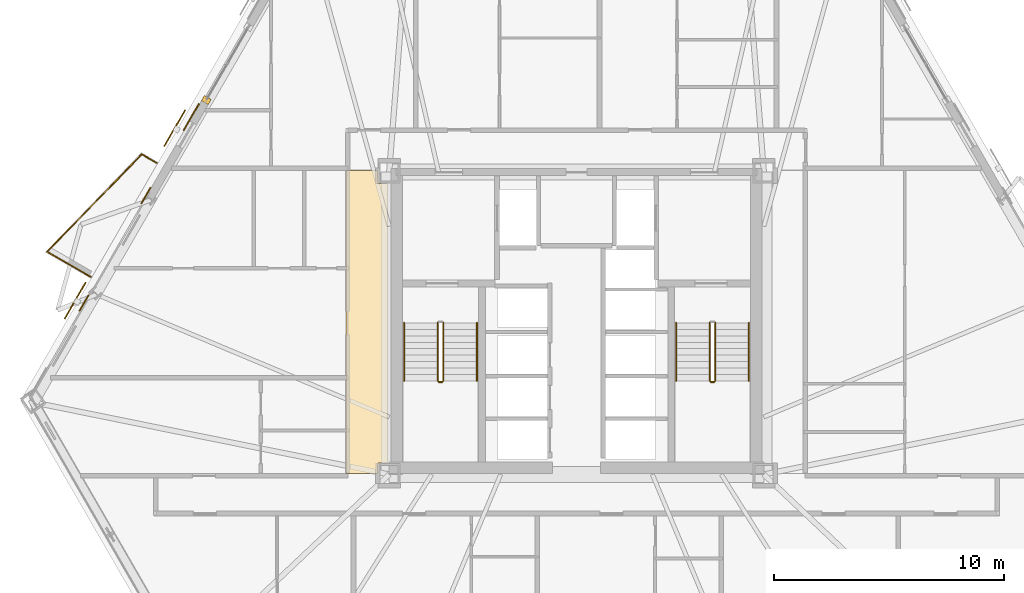
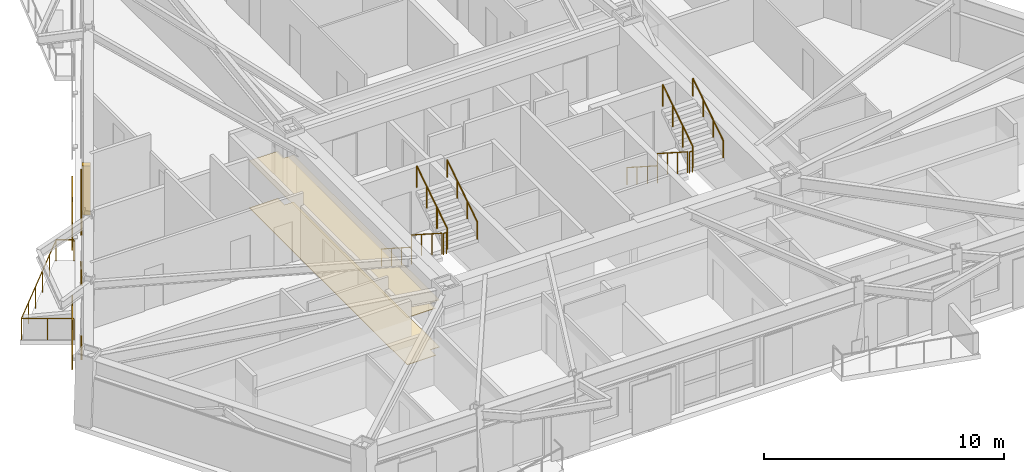
# One storey, part 15 of 17: 13 railings, 6 coverings, 2 shading devices.
"""IFC4 building model written with IfcOpenShell, lengths in metres."""

from ifc_helpers import new_model, si_unit, direction, frame, origin, origin_2d, place, context, subcontext, project, spatial, polyline, rectangle, circle, outline, extrude, material, layer, layer_set, type_object, element, save


model = new_model("IFC4")

# Units and contexts
model_context = context("Model", 3, precision=1e-05, world=origin(), true_north=direction((0.0, 1.0)))
body_context = subcontext(model_context, "Body", "Model", "MODEL_VIEW")
ifc_project = project(units=[si_unit("LENGTHUNIT", "METRE"), si_unit("AREAUNIT", "SQUARE_METRE"), si_unit("VOLUMEUNIT", "CUBIC_METRE"), si_unit("PLANEANGLEUNIT", "RADIAN"), si_unit("MASSUNIT", "GRAM", prefix="KILO")], contexts=[model_context])

# Site, building, storey
site_placement = place(None, origin())
site = spatial("IfcSite", under=ifc_project, at=site_placement, CompositionType="ELEMENT")
building_placement = place(site_placement, origin())
building = spatial("IfcBuilding", under=site, at=building_placement, Name="Oramaril Tower", CompositionType="ELEMENT")
storey_placement = place(building_placement, frame((0.0, 0.0, 70.5)))
storey = spatial("IfcBuildingStorey", under=building, at=storey_placement, Name="L18", CompositionType="ELEMENT", Elevation=70.5)

# Coverings
ifc_material_1 = material(Name="Mineral Fibre Acoustic Ceiling")
ifc_layer_1 = layer(ifc_material_1, 0.02001953125)
ifc_layer_set_1 = layer_set([ifc_layer_1], Name="CVT-CEIL")
covering_type_1 = type_object("IfcCoveringType", Name="CVT-CEIL", PredefinedType="CEILING", material=ifc_layer_set_1)
covering_1_placement = place(storey_placement, frame((0.0, 0.0, 2.39990234375)))
element("IfcCovering", 1, at=covering_1_placement, inside=storey, type_object=covering_type_1, Name="L18 Acoustic Suspended Ceiling 3", PredefinedType="CEILING", context=body_context, shape_type="SweptSolid", body=[
    extrude(outline(polyline([(28.85498046875, 23.655029296875), (29.280029296875, 23.655029296875), (29.280029296875, 11.4951171875), (28.85498046875, 11.4951171875), (28.85498046875, 11.050048828125), (27.469970703125, 11.050048828125), (27.469970703125, 24.219970703125), (28.85498046875, 24.219970703125), (28.85498046875, 23.655029296875)])), origin(), (0.0, 0.0, 1.0), 0.02001953125),
])
ifc_material_2 = material(Name="Warm Cream Limestone", Category="masonry")
ifc_layer_2 = layer(ifc_material_2, 0.050048828125)
ifc_layer_set_2 = layer_set([ifc_layer_2], Name="CVT-CLD")
covering_type_2 = type_object("IfcCoveringType", Name="CVT-CLD", PredefinedType="CLADDING", material=ifc_layer_set_2)
covering_2_placement = place(storey_placement, frame((21.3955078125, 27.284912109375, 0.0), z_axis=(0.0, 0.0, 1.0), x_axis=(-0.5, -0.866025403784, 0.0)))
element("IfcCovering", 2, at=covering_2_placement, inside=storey, type_object=covering_type_2, Name="L18 Curtain Wall Limestone Jamb Closure", PredefinedType="CLADDING", context=body_context, shape_type="SweptSolid", body=[
    extrude(rectangle(XDim=0.260009765625, YDim=0.340087890625, at=origin_2d()), origin(), (0.0, 0.0, 1.0), 2.493896484375),
])
covering_3_placement = place(storey_placement, frame((20.743408203125, 26.54150390625, 0.0400390625), z_axis=(0.0, 0.0, 1.0), x_axis=(-0.5, -0.866025403784, 0.0)))
element("IfcCovering", 3, at=covering_3_placement, inside=storey, type_object=covering_type_2, Name="L18 Warm Cream Limestone Cladding", PredefinedType="CLADDING", context=body_context, shape_type="SweptSolid", body=[
    extrude(rectangle(XDim=1.35009765625, YDim=0.050048828125, at=origin_2d()), origin(), (0.0, 0.0, 1.0), 2.4140625),
])
for number, where, z_axis, x_axis, name in (
    (4, (18.772216796875, 23.127197265625, 0.0400390625), (0.0, 0.0, 1.0), (-0.5, -0.866025403784, 0.0), "L18 Warm Cream Limestone Spandrel Cladding"),
    (5, (16.07666015625, 18.458251953125, 0.0400390625), (0.0, 0.0, 1.0), (-0.5, -0.866025403784, 0.0), "L18 Warm Cream Limestone Spandrel Cladding"),
):
    element("IfcCovering", number, at=place(storey_placement, frame(where, z_axis=z_axis, x_axis=x_axis)), inside=storey, type_object=covering_type_2, Name=name, PredefinedType="CLADDING", context=body_context, shape_type="SweptSolid", body=[
        extrude(rectangle(XDim=0.800048828125, YDim=0.050048828125, at=origin_2d()), origin(), (0.0, 0.0, 1.0), 0.679931640625),
    ])
ifc_material_3 = material(Name="Honed Quartzite Stone Flooring", Category="masonry")
ifc_layer_3 = layer(ifc_material_3, 0.02490234375)
ifc_layer_set_3 = layer_set([ifc_layer_3], Name="CVT-FLR")
covering_type_3 = type_object("IfcCoveringType", Name="CVT-FLR", PredefinedType="FLOORING", material=ifc_layer_set_3)
covering_4_placement = place(storey_placement, origin())
element("IfcCovering", 6, at=covering_4_placement, inside=storey, type_object=covering_type_3, Name="L18 Honed Stone Floor Finish 3", PredefinedType="FLOORING", context=body_context, shape_type="SweptSolid", body=[
    extrude(outline(polyline([(28.85498046875, 23.655029296875), (29.280029296875, 23.655029296875), (29.280029296875, 11.4951171875), (28.85498046875, 11.4951171875), (28.85498046875, 11.050048828125), (27.469970703125, 11.050048828125), (27.469970703125, 24.219970703125), (28.85498046875, 24.219970703125), (28.85498046875, 23.655029296875)])), origin(), (0.0, 0.0, 1.0), 0.02490234375),
])

# Railings
ifc_material_4 = material(Name="Stainless Steel 316L", Category="steel")
railing_type_1 = type_object("IfcRailingType", Name="RLT-GRD", PredefinedType="GUARDRAIL", material=ifc_material_4)
railing_1_placement = place(storey_placement, frame((16.3671875, 19.592041015625, 0.0)))
element("IfcRailing", 7, at=railing_1_placement, inside=storey, type_object=railing_type_1, Name="L18 Balcony Guardrail L18-BAL-NW2.1", PredefinedType="GUARDRAIL", context=body_context, shape_type="SweptSolid", body=[
    extrude(circle(Radius=0.02392578125, at=origin_2d()), frame((0.0, 0.0, 1.076171875), z_axis=(-0.866020500697, 0.5000084923, 0.0), x_axis=(-0.5000084923, -0.866020500697, 0.0)), (0.0, 0.0, 1.0), 2.19189453125),
    extrude(circle(Radius=0.02099609375, at=origin_2d()), origin(), (0.0, 0.0, 1.0), 1.052001953125),
    extrude(circle(Radius=0.02099609375, at=origin_2d()), frame((-0.94921875, 0.5478515625, 0.0)), (0.0, 0.0, 1.0), 1.052001953125),
    extrude(circle(Radius=0.02099609375, at=origin_2d()), frame((-1.898193359375, 1.095947265625, 0.0)), (0.0, 0.0, 1.0), 1.052001953125),
])
railing_2_placement = place(storey_placement, frame((14.468994140625, 20.68798828125, 0.0)))
element("IfcRailing", 8, at=railing_2_placement, inside=storey, type_object=railing_type_1, Name="L18 Balcony Guardrail L18-BAL-NW2.2", PredefinedType="GUARDRAIL", context=body_context, shape_type="SweptSolid", body=[
    extrude(circle(Radius=0.02392578125, at=origin_2d()), frame((0.0, 0.0, 1.076171875), z_axis=(0.697186915353, 0.716889395277, 0.0), x_axis=(-0.716889395277, 0.697186915353, 0.0)), (0.0, 0.0, 1.0), 5.91064453125),
    extrude(circle(Radius=0.02099609375, at=origin_2d()), origin(), (0.0, 0.0, 1.0), 1.052001953125),
    extrude(circle(Radius=0.02099609375, at=origin_2d()), frame((0.82421875, 0.847412109375, 0.0)), (0.0, 0.0, 1.0), 1.052001953125),
    extrude(circle(Radius=0.02099609375, at=origin_2d()), frame((1.6484375, 1.69482421875, 0.0)), (0.0, 0.0, 1.0), 1.052001953125),
    extrude(circle(Radius=0.02099609375, at=origin_2d()), frame((2.472412109375, 2.54248046875, 0.0)), (0.0, 0.0, 1.0), 1.052001953125),
    extrude(circle(Radius=0.02099609375, at=origin_2d()), frame((3.296630859375, 3.389892578125, 0.0)), (0.0, 0.0, 1.0), 1.052001953125),
    extrude(circle(Radius=0.02099609375, at=origin_2d()), frame((4.120849609375, 4.2373046875, 0.0)), (0.0, 0.0, 1.0), 1.052001953125),
])
railing_3_placement = place(storey_placement, frame((18.58984375, 24.92529296875, 0.0)))
element("IfcRailing", 9, at=railing_3_placement, inside=storey, type_object=railing_type_1, Name="L18 Balcony Guardrail L18-BAL-NW2.3", PredefinedType="GUARDRAIL", context=body_context, shape_type="SweptSolid", body=[
    extrude(circle(Radius=0.02392578125, at=origin_2d()), frame((0.0, 0.0, 1.076171875), z_axis=(0.865966403178, -0.500102178127, 0.0), x_axis=(0.500102178127, 0.865966403178, 0.0)), (0.0, 0.0, 1.0), 0.741943359375),
    extrude(circle(Radius=0.02099609375, at=origin_2d()), origin(), (0.0, 0.0, 1.0), 1.052001953125),
    extrude(circle(Radius=0.02099609375, at=origin_2d()), frame((0.642578125, -0.37109375, 0.0)), (0.0, 0.0, 1.0), 1.052001953125),
])
railing_4_placement = place(storey_placement, frame((31.4599609375, 17.590087890625, 0.179931640625)))
element("IfcRailing", 10, at=railing_4_placement, inside=storey, type_object=railing_type_1, Name="L18 ST-1 stair guard 1", PredefinedType="GUARDRAIL", context=body_context, shape_type="SweptSolid", body=[
    extrude(circle(Radius=0.02392578125, at=origin_2d()), frame((0.0, 0.0, 1.076171875), z_axis=(0.0, -0.841162588446, 0.540782303519), x_axis=(1.0, 0.0, 0.0)), (0.0, 0.0, 1.0), 2.995849609375),
    extrude(circle(Radius=0.02099609375, at=origin_2d()), origin(), (0.0, 0.0, 1.0), 1.052001953125),
    extrude(circle(Radius=0.02099609375, at=origin_2d()), frame((0.0, -0.840087890625, 0.5400390625)), (0.0, 0.0, 1.0), 1.052001953125),
    extrude(circle(Radius=0.02099609375, at=origin_2d()), frame((0.0, -1.679931640625, 1.080078125)), (0.0, 0.0, 1.0), 1.052001953125),
    extrude(circle(Radius=0.02099609375, at=origin_2d()), frame((0.0, -2.52001953125, 1.6201171875)), (0.0, 0.0, 1.0), 1.052001953125),
])
railing_5_placement = place(storey_placement, frame((31.510009765625, 15.02001953125, 1.800048828125)))
element("IfcRailing", 11, at=railing_5_placement, inside=storey, type_object=railing_type_1, Name="L18 ST-1 stair guard 2", PredefinedType="GUARDRAIL", context=body_context, shape_type="SweptSolid", body=[
    extrude(circle(Radius=0.02392578125, at=origin_2d()), frame((0.0, 0.0, 1.076171875), z_axis=(1.0, 0.0, 0.0), x_axis=(0.0, 1.0, 0.0)), (0.0, 0.0, 1.0), 0.14990234375),
    extrude(circle(Radius=0.02099609375, at=origin_2d()), origin(), (0.0, 0.0, 1.0), 1.052001953125),
    extrude(circle(Radius=0.02099609375, at=origin_2d()), frame((0.14990234375, 0.0, 0.0)), (0.0, 0.0, 1.0), 1.052001953125),
])
railing_6_placement = place(storey_placement, frame((31.7099609375, 15.070068359375, 1.97998046875)))
element("IfcRailing", 12, at=railing_6_placement, inside=storey, type_object=railing_type_1, Name="L18 ST-1 stair guard 3", PredefinedType="GUARDRAIL", context=body_context, shape_type="SweptSolid", body=[
    extrude(circle(Radius=0.02392578125, at=origin_2d()), frame((0.0, 0.0, 1.076171875), z_axis=(0.0, 0.841162588446, 0.540782303519), x_axis=(-1.0, 0.0, 0.0)), (0.0, 0.0, 1.0), 2.995849609375),
    extrude(circle(Radius=0.02099609375, at=origin_2d()), origin(), (0.0, 0.0, 1.0), 1.052001953125),
    extrude(circle(Radius=0.02099609375, at=origin_2d()), frame((0.0, 0.840087890625, 0.5400390625)), (0.0, 0.0, 1.0), 1.052001953125),
    extrude(circle(Radius=0.02099609375, at=origin_2d()), frame((0.0, 1.679931640625, 1.080078125)), (0.0, 0.0, 1.0), 1.052001953125),
    extrude(circle(Radius=0.02099609375, at=origin_2d()), frame((0.0, 2.52001953125, 1.6201171875)), (0.0, 0.0, 1.0), 1.052001953125),
])
railing_7_placement = place(storey_placement, frame((43.2900390625, 17.590087890625, 0.179931640625)))
element("IfcRailing", 13, at=railing_7_placement, inside=storey, type_object=railing_type_1, Name="L18 ST-2 stair guard 1", PredefinedType="GUARDRAIL", context=body_context, shape_type="SweptSolid", body=[
    extrude(circle(Radius=0.02392578125, at=origin_2d()), frame((0.0, 0.0, 1.076171875), z_axis=(0.0, -0.841162588446, 0.540782303519), x_axis=(1.0, 0.0, 0.0)), (0.0, 0.0, 1.0), 2.995849609375),
    extrude(circle(Radius=0.02099609375, at=origin_2d()), origin(), (0.0, 0.0, 1.0), 1.052001953125),
    extrude(circle(Radius=0.02099609375, at=origin_2d()), frame((0.0, -0.840087890625, 0.5400390625)), (0.0, 0.0, 1.0), 1.052001953125),
    extrude(circle(Radius=0.02099609375, at=origin_2d()), frame((0.0, -1.679931640625, 1.080078125)), (0.0, 0.0, 1.0), 1.052001953125),
    extrude(circle(Radius=0.02099609375, at=origin_2d()), frame((0.0, -2.52001953125, 1.6201171875)), (0.0, 0.0, 1.0), 1.052001953125),
])
railing_8_placement = place(storey_placement, frame((43.340087890625, 15.02001953125, 1.800048828125)))
element("IfcRailing", 14, at=railing_8_placement, inside=storey, type_object=railing_type_1, Name="L18 ST-2 stair guard 2", PredefinedType="GUARDRAIL", context=body_context, shape_type="SweptSolid", body=[
    extrude(circle(Radius=0.02392578125, at=origin_2d()), frame((0.0, 0.0, 1.076171875), z_axis=(1.0, 0.0, 0.0), x_axis=(0.0, 1.0, 0.0)), (0.0, 0.0, 1.0), 0.14990234375),
    extrude(circle(Radius=0.02099609375, at=origin_2d()), origin(), (0.0, 0.0, 1.0), 1.052001953125),
    extrude(circle(Radius=0.02099609375, at=origin_2d()), frame((0.14990234375, 0.0, 0.0)), (0.0, 0.0, 1.0), 1.052001953125),
])
railing_9_placement = place(storey_placement, frame((43.5400390625, 15.070068359375, 1.97998046875)))
element("IfcRailing", 15, at=railing_9_placement, inside=storey, type_object=railing_type_1, Name="L18 ST-2 stair guard 3", PredefinedType="GUARDRAIL", context=body_context, shape_type="SweptSolid", body=[
    extrude(circle(Radius=0.02392578125, at=origin_2d()), frame((0.0, 0.0, 1.076171875), z_axis=(0.0, 0.841162588446, 0.540782303519), x_axis=(-1.0, 0.0, 0.0)), (0.0, 0.0, 1.0), 2.995849609375),
    extrude(circle(Radius=0.02099609375, at=origin_2d()), origin(), (0.0, 0.0, 1.0), 1.052001953125),
    extrude(circle(Radius=0.02099609375, at=origin_2d()), frame((0.0, 0.840087890625, 0.5400390625)), (0.0, 0.0, 1.0), 1.052001953125),
    extrude(circle(Radius=0.02099609375, at=origin_2d()), frame((0.0, 1.679931640625, 1.080078125)), (0.0, 0.0, 1.0), 1.052001953125),
    extrude(circle(Radius=0.02099609375, at=origin_2d()), frame((0.0, 2.52001953125, 1.6201171875)), (0.0, 0.0, 1.0), 1.052001953125),
])
ifc_material_5 = material(Name="Stainless Steel 316L", Category="steel")
railing_type_2 = type_object("IfcRailingType", Name="RLT-HND", PredefinedType="HANDRAIL", material=ifc_material_5)
railing_10_placement = place(storey_placement, frame((30.0, 17.590087890625, 0.179931640625)))
element("IfcRailing", 16, at=railing_10_placement, inside=storey, type_object=railing_type_2, Name="L18 ST-1 stair handrail 1", PredefinedType="HANDRAIL", context=body_context, shape_type="SweptSolid", body=[
    extrude(circle(Radius=0.02392578125, at=origin_2d()), frame((0.0, 0.0, 0.8759765625), z_axis=(0.0, -0.841162588446, 0.540782303519), x_axis=(1.0, 0.0, 0.0)), (0.0, 0.0, 1.0), 2.995849609375),
    extrude(circle(Radius=0.02099609375, at=origin_2d()), origin(), (0.0, 0.0, 1.0), 0.851806640625),
    extrude(circle(Radius=0.02099609375, at=origin_2d()), frame((0.0, -0.840087890625, 0.5400390625)), (0.0, 0.0, 1.0), 0.851806640625),
    extrude(circle(Radius=0.02099609375, at=origin_2d()), frame((0.0, -1.679931640625, 1.080078125)), (0.0, 0.0, 1.0), 0.851806640625),
    extrude(circle(Radius=0.02099609375, at=origin_2d()), frame((0.0, -2.52001953125, 1.6201171875)), (0.0, 0.0, 1.0), 0.851806640625),
])
railing_11_placement = place(storey_placement, frame((33.169921875, 15.070068359375, 1.97998046875)))
element("IfcRailing", 17, at=railing_11_placement, inside=storey, type_object=railing_type_2, Name="L18 ST-1 stair handrail 2", PredefinedType="HANDRAIL", context=body_context, shape_type="SweptSolid", body=[
    extrude(circle(Radius=0.02392578125, at=origin_2d()), frame((0.0, 0.0, 0.8759765625), z_axis=(0.0, 0.841162588446, 0.540782303519), x_axis=(-1.0, 0.0, 0.0)), (0.0, 0.0, 1.0), 2.995849609375),
    extrude(circle(Radius=0.02099609375, at=origin_2d()), origin(), (0.0, 0.0, 1.0), 0.851806640625),
    extrude(circle(Radius=0.02099609375, at=origin_2d()), frame((0.0, 0.840087890625, 0.5400390625)), (0.0, 0.0, 1.0), 0.851806640625),
    extrude(circle(Radius=0.02099609375, at=origin_2d()), frame((0.0, 1.679931640625, 1.080078125)), (0.0, 0.0, 1.0), 0.851806640625),
    extrude(circle(Radius=0.02099609375, at=origin_2d()), frame((0.0, 2.52001953125, 1.6201171875)), (0.0, 0.0, 1.0), 0.851806640625),
])
railing_12_placement = place(storey_placement, frame((41.830078125, 17.590087890625, 0.179931640625)))
element("IfcRailing", 18, at=railing_12_placement, inside=storey, type_object=railing_type_2, Name="L18 ST-2 stair handrail 1", PredefinedType="HANDRAIL", context=body_context, shape_type="SweptSolid", body=[
    extrude(circle(Radius=0.02392578125, at=origin_2d()), frame((0.0, 0.0, 0.8759765625), z_axis=(0.0, -0.841162588446, 0.540782303519), x_axis=(1.0, 0.0, 0.0)), (0.0, 0.0, 1.0), 2.995849609375),
    extrude(circle(Radius=0.02099609375, at=origin_2d()), origin(), (0.0, 0.0, 1.0), 0.851806640625),
    extrude(circle(Radius=0.02099609375, at=origin_2d()), frame((0.0, -0.840087890625, 0.5400390625)), (0.0, 0.0, 1.0), 0.851806640625),
    extrude(circle(Radius=0.02099609375, at=origin_2d()), frame((0.0, -1.679931640625, 1.080078125)), (0.0, 0.0, 1.0), 0.851806640625),
    extrude(circle(Radius=0.02099609375, at=origin_2d()), frame((0.0, -2.52001953125, 1.6201171875)), (0.0, 0.0, 1.0), 0.851806640625),
])
railing_13_placement = place(storey_placement, frame((45.0, 15.070068359375, 1.97998046875)))
element("IfcRailing", 19, at=railing_13_placement, inside=storey, type_object=railing_type_2, Name="L18 ST-2 stair handrail 2", PredefinedType="HANDRAIL", context=body_context, shape_type="SweptSolid", body=[
    extrude(circle(Radius=0.02392578125, at=origin_2d()), frame((0.0, 0.0, 0.8759765625), z_axis=(0.0, 0.841162588446, 0.540782303519), x_axis=(-1.0, 0.0, 0.0)), (0.0, 0.0, 1.0), 2.995849609375),
    extrude(circle(Radius=0.02099609375, at=origin_2d()), origin(), (0.0, 0.0, 1.0), 0.851806640625),
    extrude(circle(Radius=0.02099609375, at=origin_2d()), frame((0.0, 0.840087890625, 0.5400390625)), (0.0, 0.0, 1.0), 0.851806640625),
    extrude(circle(Radius=0.02099609375, at=origin_2d()), frame((0.0, 1.679931640625, 1.080078125)), (0.0, 0.0, 1.0), 0.851806640625),
    extrude(circle(Radius=0.02099609375, at=origin_2d()), frame((0.0, 2.52001953125, 1.6201171875)), (0.0, 0.0, 1.0), 0.851806640625),
])

# Shading devices
for number, where, z_axis, x_axis, name in (
    (20, (15.690673828125, 18.563720703125, -0.02001953125), (0.0, 0.0, 1.0), (-0.5, -0.866025403784, 0.0), "L18 Perforated Ceramic Solar Screen"),
    (21, (20.019287109375, 26.06103515625, -0.02001953125), (0.0, 0.0, 1.0), (-0.5, -0.866025403784, 0.0), "L18 Perforated Ceramic Solar Screen"),
):
    element("IfcShadingDevice", number, at=place(storey_placement, frame(where, z_axis=z_axis, x_axis=x_axis)), inside=storey, Name=name, ObjectType="SCREEN", PredefinedType="USERDEFINED", context=body_context, shape_type="SweptSolid", body=[
        extrude(rectangle(XDim=1.8330078125, YDim=0.050048828125, at=origin_2d()), origin(), (0.0, 0.0, 1.0), 2.493896484375),
    ])

save(model, "model.ifc")
